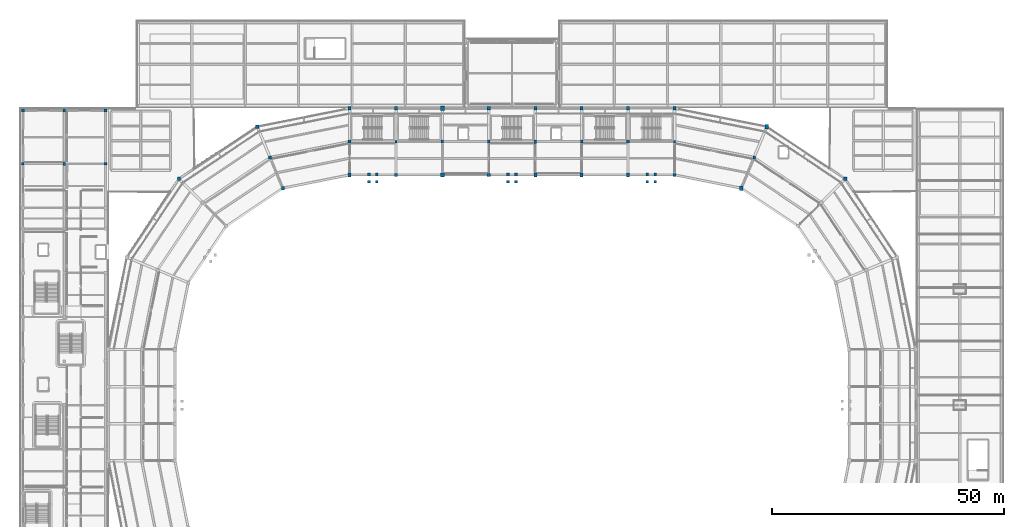
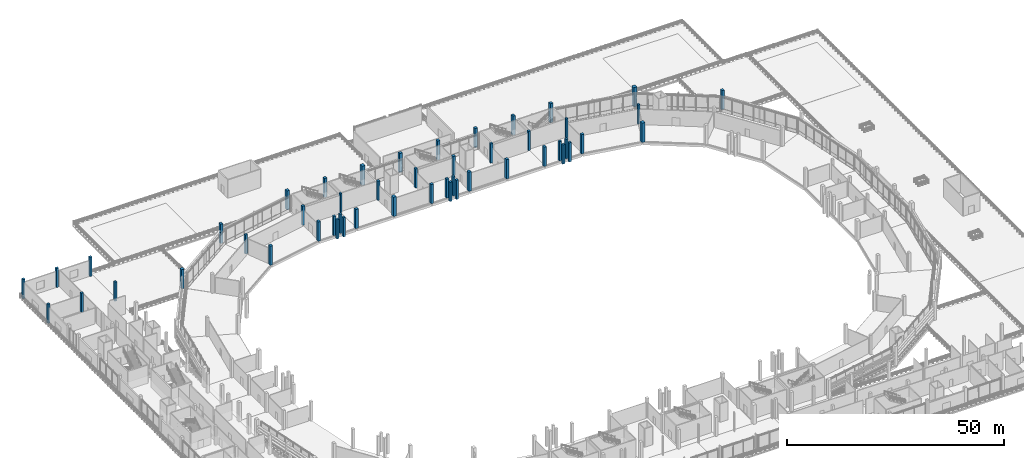
# One storey, part 6 of 111: 50 columns.
"""IFC4 building model written with IfcOpenShell, lengths in metres."""

from ifc_helpers import new_model, si_unit, direction, frame, origin, origin_2d, place, context, subcontext, project, spatial, rectangle, extrude, material, material_profile, profile_set, type_object, element, save


model = new_model("IFC4")

# Units and contexts
model_context = context("Model", 3, precision=1e-05, world=origin(), true_north=direction((0.0, 1.0)))
body_context = subcontext(model_context, "Body", "Model", "MODEL_VIEW")
ifc_project = project(units=[si_unit("LENGTHUNIT", "METRE"), si_unit("AREAUNIT", "SQUARE_METRE"), si_unit("VOLUMEUNIT", "CUBIC_METRE"), si_unit("PLANEANGLEUNIT", "RADIAN"), si_unit("MASSUNIT", "GRAM", prefix="KILO")], contexts=[model_context])

# Site, building, storey
site_placement = place(None, origin())
site = spatial("IfcSite", under=ifc_project, at=site_placement, CompositionType="ELEMENT")
building_placement = place(site_placement, origin())
building = spatial("IfcBuilding", under=site, at=building_placement, Name="Candeia Ridge Stadium", CompositionType="ELEMENT")
storey_placement = place(building_placement, frame((0.0, 0.0, 16.199951171875)))
storey = spatial("IfcBuildingStorey", under=building, at=storey_placement, Name="L03", CompositionType="ELEMENT", Elevation=16.199951171875)

# Columns
ifc_material_1 = material(Name="Concrete C40/50", Category="concrete")
ifc_material_profile_1 = material_profile(ifc_material_1, rectangle(XDim=0.47998046875, YDim=0.56005859375, at=origin_2d()), Name="RC480x560", Category="concrete")
ifc_profile_set_1 = profile_set([ifc_material_profile_1], Name="Concrete C40/50")
column_type_1 = type_object("IfcColumnType", Name="Graduated Frame Column RC480x560", PredefinedType="COLUMN", material=ifc_profile_set_1)
for number, where, z_axis, x_axis, name in (
    (1, (141.0, 139.800048828125, 0.0), (0.0, 0.0, 1.0), (1.0, 0.0, 0.0), "Structural column BC-M2-00 L03"),
    (2, (81.0, 139.800048828125, 0.0), (0.0, 0.0, 1.0), (1.0, 0.0, 0.0), "Structural column BC-M2-06 L03"),
):
    element("IfcColumn", number, at=place(storey_placement, frame(where, z_axis=z_axis, x_axis=x_axis)), inside=storey, type_object=column_type_1, Name=name, PredefinedType="COLUMN", context=body_context, shape_type="SweptSolid", body=[
        extrude(rectangle(XDim=0.47998046875, YDim=0.56005859375, at=origin_2d()), origin(), (0.0, 0.0, 1.0), 5.400146484375),
    ])
ifc_material_profile_2 = material_profile(ifc_material_1, rectangle(XDim=0.52001953125, YDim=0.6201171875, at=origin_2d()), Name="RC520x620", Category="concrete")
ifc_profile_set_2 = profile_set([ifc_material_profile_2], Name="Concrete C40/50")
column_type_2 = type_object("IfcColumnType", Name="Graduated Frame Column RC520x620", PredefinedType="COLUMN", material=ifc_profile_set_2)
for number, where, z_axis, x_axis, name in (
    (3, (91.0, 139.800048828125, 0.0), (0.0, 0.0, 1.0), (1.0, 0.0, 0.0), "Structural column BC-M2-05 L03"),
    (4, (158.144287109375, 136.389892578125, 0.0), (0.0, 0.0, 1.0), (1.0, 0.0, 0.0), "Structural column BC-M2-35 L03"),
):
    element("IfcColumn", number, at=place(storey_placement, frame(where, z_axis=z_axis, x_axis=x_axis)), inside=storey, type_object=column_type_2, Name=name, PredefinedType="COLUMN", context=body_context, shape_type="SweptSolid", body=[
        extrude(rectangle(XDim=0.52001953125, YDim=0.6201171875, at=origin_2d()), origin(), (0.0, 0.0, 1.0), 5.400146484375),
    ])
ifc_material_profile_3 = material_profile(ifc_material_1, rectangle(XDim=0.580078125, YDim=0.580078125, at=origin_2d()), Name="RC580x580", Category="concrete")
ifc_profile_set_3 = profile_set([ifc_material_profile_3], Name="Concrete C40/50")
column_type_3 = type_object("IfcColumnType", Name="Graduated Frame Column RC580x580", PredefinedType="COLUMN", material=ifc_profile_set_3)
for number, where, z_axis, x_axis, name in (
    (5, (121.0, 139.800048828125, 0.0), (0.0, 0.0, 1.0), (1.0, 0.0, 0.0), "Structural column BC-M2-02 L03"),
    (6, (53.855712890625, 136.389892578125, 0.0), (0.0, 0.0, 1.0), (1.0, 0.0, 0.0), "Structural column BC-M2-08 L03"),
):
    element("IfcColumn", number, at=place(storey_placement, frame(where, z_axis=z_axis, x_axis=x_axis)), inside=storey, type_object=column_type_3, Name=name, PredefinedType="COLUMN", context=body_context, shape_type="SweptSolid", body=[
        extrude(rectangle(XDim=0.580078125, YDim=0.580078125, at=origin_2d()), origin(), (0.0, 0.0, 1.0), 5.400146484375),
    ])
ifc_material_profile_4 = material_profile(ifc_material_1, rectangle(XDim=0.580078125, YDim=0.679931640625, at=origin_2d()), Name="RC580x680", Category="concrete")
ifc_profile_set_4 = profile_set([ifc_material_profile_4], Name="Concrete C40/50")
column_type_4 = type_object("IfcColumnType", Name="Graduated Frame Column RC580x680", PredefinedType="COLUMN", material=ifc_profile_set_4)
column_1_placement = place(storey_placement, frame((101.0, 139.800048828125, 0.0), z_axis=(0.0, 0.0, 1.0), x_axis=(1.0, 0.0, 0.0)))
element("IfcColumn", 7, at=column_1_placement, inside=storey, type_object=column_type_4, Name="Structural column BC-M2-04 L03", PredefinedType="COLUMN", context=body_context, shape_type="SweptSolid", body=[
    extrude(rectangle(XDim=0.580078125, YDim=0.679931640625, at=origin_2d()), origin(), (0.0, 0.0, 1.0), 5.400146484375),
])
ifc_material_profile_5 = material_profile(ifc_material_1, rectangle(XDim=0.6201171875, YDim=0.6201171875, at=origin_2d()), Name="RC620x620", Category="concrete")
ifc_profile_set_5 = profile_set([ifc_material_profile_5], Name="Concrete C40/50")
column_type_5 = type_object("IfcColumnType", Name="Graduated Frame Column RC620x620", PredefinedType="COLUMN", material=ifc_profile_set_5)
for number, where, z_axis, x_axis, name in (
    (8, (131.0, 139.800048828125, 0.0), (0.0, 0.0, 1.0), (1.0, 0.0, 0.0), "Structural column BC-M2-01 L03"),
    (9, (71.0, 139.800048828125, 0.0), (0.0, 0.0, 1.0), (1.0, 0.0, 0.0), "Structural column BC-M2-07 L03"),
):
    element("IfcColumn", number, at=place(storey_placement, frame(where, z_axis=z_axis, x_axis=x_axis)), inside=storey, type_object=column_type_5, Name=name, PredefinedType="COLUMN", context=body_context, shape_type="SweptSolid", body=[
        extrude(rectangle(XDim=0.6201171875, YDim=0.6201171875, at=origin_2d()), origin(), (0.0, 0.0, 1.0), 5.400146484375),
    ])
ifc_material_profile_6 = material_profile(ifc_material_1, rectangle(XDim=0.6201171875, YDim=0.719970703125, at=origin_2d()), Name="RC620x720", Category="concrete")
ifc_profile_set_6 = profile_set([ifc_material_profile_6], Name="Concrete C40/50")
column_type_6 = type_object("IfcColumnType", Name="Graduated Frame Column RC620x720", PredefinedType="COLUMN", material=ifc_profile_set_6)
column_2_placement = place(storey_placement, frame((111.0, 139.800048828125, 0.0), z_axis=(0.0, 0.0, 1.0), x_axis=(1.0, 0.0, 0.0)))
element("IfcColumn", 10, at=column_2_placement, inside=storey, type_object=column_type_6, Name="Structural column BC-M2-03 L03", PredefinedType="COLUMN", context=body_context, shape_type="SweptSolid", body=[
    extrude(rectangle(XDim=0.6201171875, YDim=0.719970703125, at=origin_2d()), origin(), (0.0, 0.0, 1.0), 5.400146484375),
])
ifc_material_profile_7 = material_profile(ifc_material_1, rectangle(XDim=0.679931640625, YDim=0.760009765625, at=origin_2d()), Name="RC680x760", Category="concrete")
ifc_profile_set_7 = profile_set([ifc_material_profile_7], Name="Concrete C40/50")
column_type_7 = type_object("IfcColumnType", Name="Graduated Frame Column RC680x760", PredefinedType="COLUMN", material=ifc_profile_set_7)
for number, where, z_axis, x_axis, name in (
    (11, (121.0, 132.60009765625, 0.0), (0.0, 0.0, 1.0), (1.0, 0.0, 0.0), "Structural column BC-MD-02 L03"),
    (12, (121.0, 147.0, 0.0), (0.0, 0.0, 1.0), (1.0, 0.0, 0.0), "Structural column BC-OU-02 L03"),
    (13, (56.611083984375, 129.73779296875, 0.0), (0.0, 0.0, 1.0), (1.0, 0.0, 0.0), "Structural column BC-MD-08 L03"),
    (14, (51.100341796875, 143.041748046875, 0.0), (0.0, 0.0, 1.0), (1.0, 0.0, 0.0), "Structural column BC-OU-08 L03"),
):
    element("IfcColumn", number, at=place(storey_placement, frame(where, z_axis=z_axis, x_axis=x_axis)), inside=storey, type_object=column_type_7, Name=name, PredefinedType="COLUMN", context=body_context, shape_type="SweptSolid", body=[
        extrude(rectangle(XDim=0.679931640625, YDim=0.760009765625, at=origin_2d()), origin(), (0.0, 0.0, 1.0), 5.400146484375),
    ])
ifc_material_2 = material(Name="Concrete C45/55", Category="concrete")
ifc_material_profile_8 = material_profile(ifc_material_2, rectangle(XDim=0.820068359375, YDim=0.949951171875, at=origin_2d()), Name="RC820x950", Category="concrete")
ifc_profile_set_8 = profile_set([ifc_material_profile_8], Name="Concrete C45/55")
column_type_8 = type_object("IfcColumnType", Name="Graduated Frame Column RC820x950", PredefinedType="COLUMN", material=ifc_profile_set_8)
for number, where, z_axis, x_axis, name in (
    (15, (91.0, 132.60009765625, 0.0), (0.0, 0.0, 1.0), (1.0, 0.0, 0.0), "Structural column BC-MD-05 L03"),
    (16, (91.0, 147.0, 0.0), (0.0, 0.0, 1.0), (1.0, 0.0, 0.0), "Structural column BC-OU-05 L03"),
    (17, (155.388916015625, 129.73779296875, 0.0), (0.0, 0.0, 1.0), (1.0, 0.0, 0.0), "Structural column BC-MD-35 L03"),
    (18, (160.899658203125, 143.041748046875, 0.0), (0.0, 0.0, 1.0), (1.0, 0.0, 0.0), "Structural column BC-OU-35 L03"),
):
    element("IfcColumn", number, at=place(storey_placement, frame(where, z_axis=z_axis, x_axis=x_axis)), inside=storey, type_object=column_type_8, Name=name, PredefinedType="COLUMN", context=body_context, shape_type="SweptSolid", body=[
        extrude(rectangle(XDim=0.820068359375, YDim=0.949951171875, at=origin_2d()), origin(), (0.0, 0.0, 1.0), 5.400146484375),
    ])
ifc_material_profile_9 = material_profile(ifc_material_1, rectangle(XDim=0.550048828125, YDim=0.550048828125, at=origin_2d()), Name="RC550x550", Category="concrete")
ifc_profile_set_9 = profile_set([ifc_material_profile_9], Name="Concrete C40/50")
column_type_9 = type_object("IfcColumnType", Name="Reinforced Concrete Column RC550x550", PredefinedType="COLUMN", material=ifc_profile_set_9)
for number, where, z_axis, x_axis, name in (
    (19, (0.60009765625, 135.0, 0.0), (0.0, 0.0, 1.0), (1.0, 0.0, 0.0), "Structural column WP-00-13 L03"),
    (20, (9.5, 146.5, 0.0), (0.0, 0.0, 1.0), (1.0, 0.0, 0.0), "Structural column WP-01-14 L03"),
    (21, (18.39990234375, 135.0, 0.0), (0.0, 0.0, 1.0), (1.0, 0.0, 0.0), "Structural column WP-02-13 L03"),
):
    element("IfcColumn", number, at=place(storey_placement, frame(where, z_axis=z_axis, x_axis=x_axis)), inside=storey, type_object=column_type_9, Name=name, PredefinedType="COLUMN", context=body_context, shape_type="SweptSolid", body=[
        extrude(rectangle(XDim=0.550048828125, YDim=0.550048828125, at=origin_2d()), origin(), (0.0, 0.0, 1.0), 5.400146484375),
    ])
ifc_material_profile_10 = material_profile(ifc_material_1, rectangle(XDim=0.64990234375, YDim=0.800048828125, at=origin_2d()), Name="RC650x800", Category="concrete")
ifc_profile_set_10 = profile_set([ifc_material_profile_10], Name="Concrete C40/50")
column_type_10 = type_object("IfcColumnType", Name="Reinforced Concrete Column RC650x800", PredefinedType="COLUMN", material=ifc_profile_set_10)
for number, where, z_axis, x_axis, name in (
    (22, (131.0, 132.60009765625, 0.0), (0.0, 0.0, 1.0), (1.0, 0.0, 0.0), "Structural column BC-MD-01 L03"),
    (23, (131.0, 147.0, 0.0), (0.0, 0.0, 1.0), (1.0, 0.0, 0.0), "Structural column BC-OU-01 L03"),
    (24, (111.0, 132.60009765625, 0.0), (0.0, 0.0, 1.0), (1.0, 0.0, 0.0), "Structural column BC-MD-03 L03"),
    (25, (111.0, 147.0, 0.0), (0.0, 0.0, 1.0), (1.0, 0.0, 0.0), "Structural column BC-OU-03 L03"),
    (26, (71.0, 132.60009765625, 0.0), (0.0, 0.0, 1.0), (1.0, 0.0, 0.0), "Structural column BC-MD-07 L03"),
    (27, (71.0, 147.0, 0.0), (0.0, 0.0, 1.0), (1.0, 0.0, 0.0), "Structural column BC-OU-07 L03"),
    (28, (34.23046875, 131.76953125, 0.0), (0.0, 0.0, 1.0), (1.0, 0.0, 0.0), "Structural column BC-OU-09 L03"),
):
    element("IfcColumn", number, at=place(storey_placement, frame(where, z_axis=z_axis, x_axis=x_axis)), inside=storey, type_object=column_type_10, Name=name, PredefinedType="COLUMN", context=body_context, shape_type="SweptSolid", body=[
        extrude(rectangle(XDim=0.64990234375, YDim=0.800048828125, at=origin_2d()), origin(), (0.0, 0.0, 1.0), 5.400146484375),
    ])
ifc_material_profile_11 = material_profile(ifc_material_1, rectangle(XDim=0.60009765625, YDim=0.60009765625, at=origin_2d()), Name="RC600x600", Category="concrete")
ifc_profile_set_11 = profile_set([ifc_material_profile_11], Name="Concrete C40/50")
column_type_11 = type_object("IfcColumnType", Name="Wing Column RC600x600", PredefinedType="COLUMN", material=ifc_profile_set_11)
for number, where, z_axis, x_axis, name in (
    (29, (0.60009765625, 146.5, 0.0), (0.0, 0.0, 1.0), (1.0, 0.0, 0.0), "Structural column WP-00-14 L03"),
    (30, (9.5, 135.0, 0.0), (0.0, 0.0, 1.0), (1.0, 0.0, 0.0), "Structural column WP-01-13 L03"),
    (31, (18.39990234375, 146.5, 0.0), (0.0, 0.0, 1.0), (1.0, 0.0, 0.0), "Structural column WP-02-14 L03"),
    (32, (135.14990234375, 132.681884765625, 0.0), (0.0, 0.0, 1.0), (1.0, 0.0, 0.0), "Vomitory VS25 landing support column 1 L03"),
    (33, (135.14990234375, 131.132080078125, 0.0), (0.0, 0.0, 1.0), (1.0, 0.0, 0.0), "Vomitory VS25 landing support column 2 L03"),
    (34, (136.85009765625, 131.132080078125, 0.0), (0.0, 0.0, 1.0), (1.0, 0.0, 0.0), "Vomitory VS25 landing support column 3 L03"),
    (35, (136.85009765625, 132.681884765625, 0.0), (0.0, 0.0, 1.0), (1.0, 0.0, 0.0), "Vomitory VS25 landing support column 4 L03"),
    (36, (105.14990234375, 132.681884765625, 0.0), (0.0, 0.0, 1.0), (1.0, 0.0, 0.0), "Vomitory VS26 landing support column 1 L03"),
    (37, (105.14990234375, 131.132080078125, 0.0), (0.0, 0.0, 1.0), (1.0, 0.0, 0.0), "Vomitory VS26 landing support column 2 L03"),
    (38, (106.85009765625, 131.132080078125, 0.0), (0.0, 0.0, 1.0), (1.0, 0.0, 0.0), "Vomitory VS26 landing support column 3 L03"),
    (39, (106.85009765625, 132.681884765625, 0.0), (0.0, 0.0, 1.0), (1.0, 0.0, 0.0), "Vomitory VS26 landing support column 4 L03"),
    (40, (75.14990234375, 132.681884765625, 0.0), (0.0, 0.0, 1.0), (1.0, 0.0, 0.0), "Vomitory VS27 landing support column 1 L03"),
    (41, (75.14990234375, 131.132080078125, 0.0), (0.0, 0.0, 1.0), (1.0, 0.0, 0.0), "Vomitory VS27 landing support column 2 L03"),
    (42, (76.85009765625, 131.132080078125, 0.0), (0.0, 0.0, 1.0), (1.0, 0.0, 0.0), "Vomitory VS27 landing support column 3 L03"),
    (43, (76.85009765625, 132.681884765625, 0.0), (0.0, 0.0, 1.0), (1.0, 0.0, 0.0), "Vomitory VS27 landing support column 4 L03"),
):
    element("IfcColumn", number, at=place(storey_placement, frame(where, z_axis=z_axis, x_axis=x_axis)), inside=storey, type_object=column_type_11, Name=name, PredefinedType="COLUMN", context=body_context, shape_type="SweptSolid", body=[
        extrude(rectangle(XDim=0.60009765625, YDim=0.60009765625, at=origin_2d()), origin(), (0.0, 0.0, 1.0), 5.400146484375),
    ])
ifc_material_profile_12 = material_profile(ifc_material_1, rectangle(XDim=0.699951171875, YDim=0.699951171875, at=origin_2d()), Name="RC700x700", Category="concrete")
ifc_profile_set_12 = profile_set([ifc_material_profile_12], Name="Concrete C40/50")
column_type_12 = type_object("IfcColumnType", Name="Wing Column RC700x700", PredefinedType="COLUMN", material=ifc_profile_set_12)
for number, where, z_axis, x_axis, name in (
    (44, (141.0, 132.60009765625, 0.0), (0.0, 0.0, 1.0), (1.0, 0.0, 0.0), "Structural column BC-MD-00 L03"),
    (45, (141.0, 147.0, 0.0), (0.0, 0.0, 1.0), (1.0, 0.0, 0.0), "Structural column BC-OU-00 L03"),
    (46, (101.0, 132.60009765625, 0.0), (0.0, 0.0, 1.0), (1.0, 0.0, 0.0), "Structural column BC-MD-04 L03"),
    (47, (101.0, 147.0, 0.0), (0.0, 0.0, 1.0), (1.0, 0.0, 0.0), "Structural column BC-OU-04 L03"),
    (48, (81.0, 132.60009765625, 0.0), (0.0, 0.0, 1.0), (1.0, 0.0, 0.0), "Structural column BC-MD-06 L03"),
    (49, (81.0, 147.0, 0.0), (0.0, 0.0, 1.0), (1.0, 0.0, 0.0), "Structural column BC-OU-06 L03"),
    (50, (177.76953125, 131.76953125, 0.0), (0.0, 0.0, 1.0), (1.0, 0.0, 0.0), "Structural column BC-OU-34 L03"),
):
    element("IfcColumn", number, at=place(storey_placement, frame(where, z_axis=z_axis, x_axis=x_axis)), inside=storey, type_object=column_type_12, Name=name, PredefinedType="COLUMN", context=body_context, shape_type="SweptSolid", body=[
        extrude(rectangle(XDim=0.699951171875, YDim=0.699951171875, at=origin_2d()), origin(), (0.0, 0.0, 1.0), 5.400146484375),
    ])

save(model, "model.ifc")
